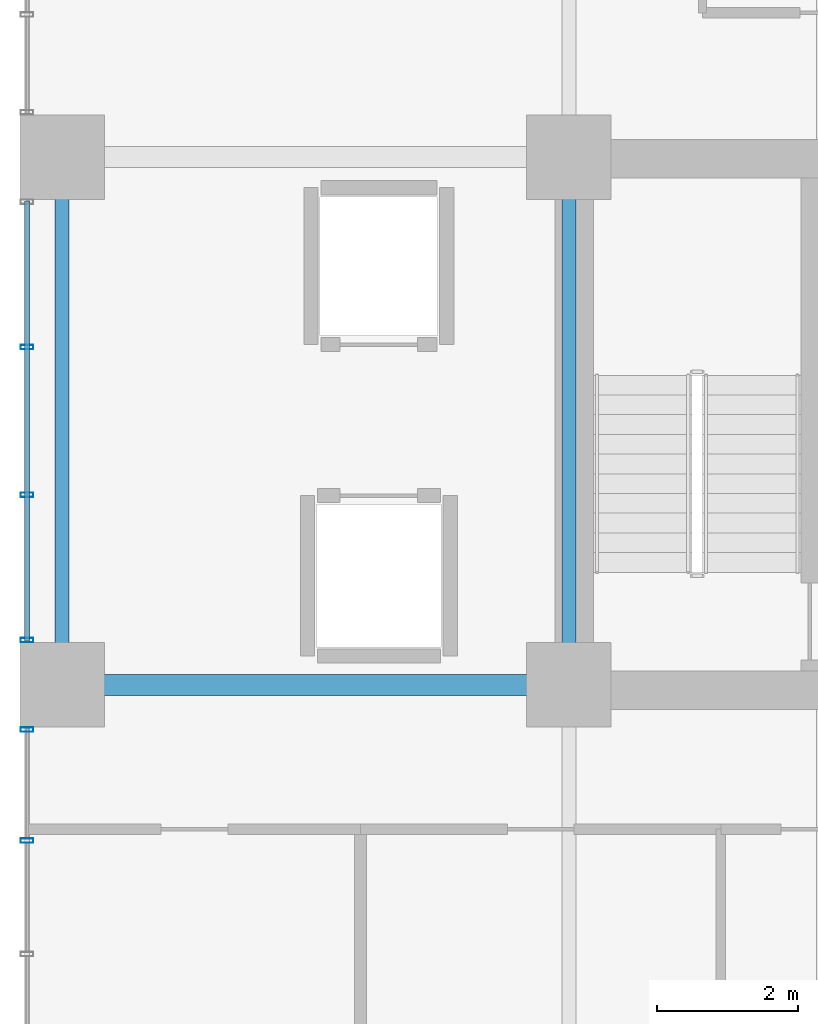
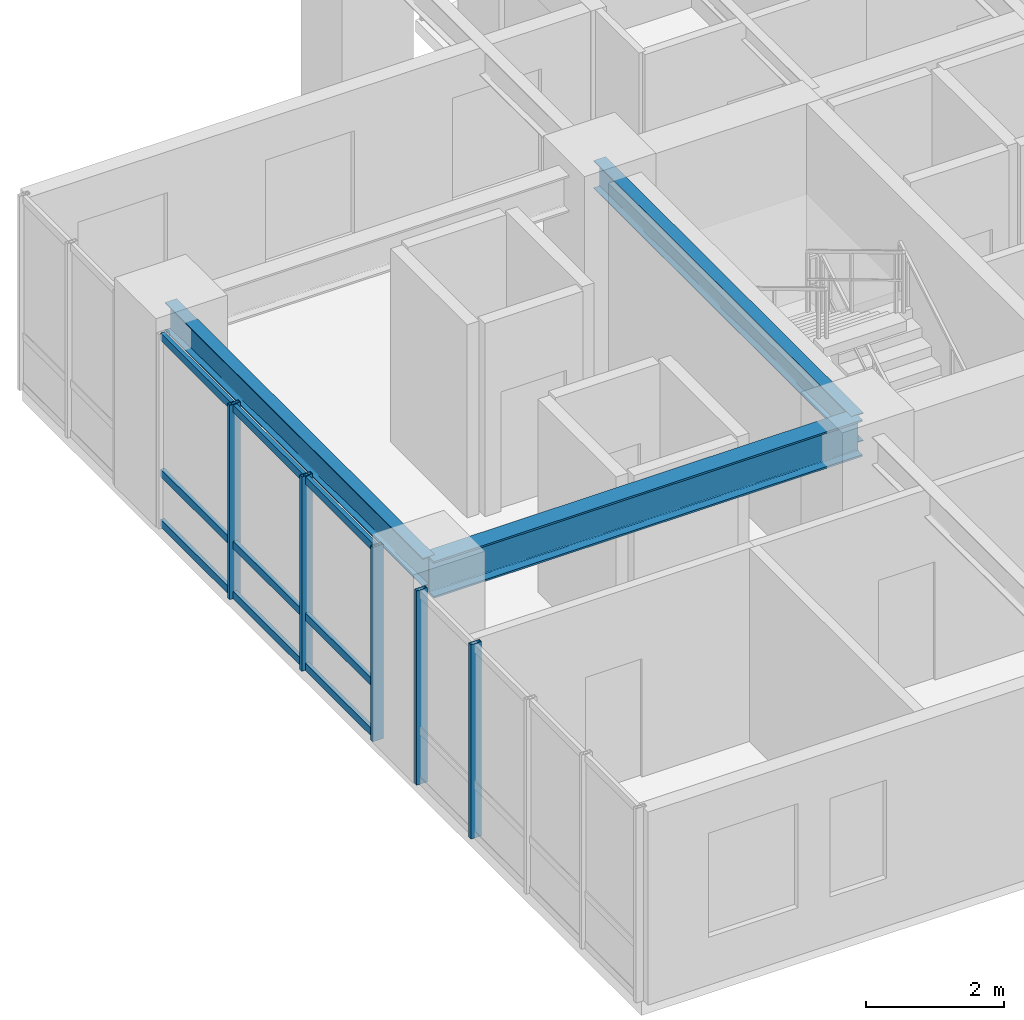
# One storey, part 4 of 18: 8 members, 3 beams, 2 elements without a shape of their own.
"""IFC4 building model written with IfcOpenShell, lengths in metres."""

from ifc_helpers import new_model, si_unit, direction, frame, origin, origin_2d, place, context, subcontext, project, spatial, hollow_rectangle, i_section, extrude, source, transform, mapped, material, layer, layer_set, material_profile, profile_set, type_object, element, aggregate, save


model = new_model("IFC4")

# Units and contexts
model_context = context("Model", 3, precision=1e-05, world=origin(), true_north=direction((0.0, 1.0)))
body_context = subcontext(model_context, "Body", "Model", "MODEL_VIEW")
ifc_project = project(units=[si_unit("LENGTHUNIT", "METRE"), si_unit("AREAUNIT", "SQUARE_METRE"), si_unit("VOLUMEUNIT", "CUBIC_METRE"), si_unit("PLANEANGLEUNIT", "RADIAN"), si_unit("MASSUNIT", "GRAM", prefix="KILO")], contexts=[model_context])

# Site, building, storey
site_placement = place(None, origin())
site = spatial("IfcSite", under=ifc_project, at=site_placement, CompositionType="ELEMENT")
building_placement = place(site_placement, origin())
building = spatial("IfcBuilding", under=site, at=building_placement, Name="Kaliganga Portal Commons", CompositionType="ELEMENT")
storey_placement = place(building_placement, frame((0.0, 0.0, 123.0)))
storey = spatial("IfcBuildingStorey", under=building, at=storey_placement, Name="L31", CompositionType="ELEMENT", Elevation=123.0)

# Beams
ifc_material_1 = material(Name="Structural steel S355J2", Category="steel")
ifc_material_profile_1 = material_profile(ifc_material_1, i_section(OverallWidth=0.300048828125, OverallDepth=0.64990234375, WebThickness=0.01611328125, FlangeThickness=0.031005859375, FilletRadius=0.027099609375, at=origin_2d()), Name="HE 650 B")
ifc_profile_set_1 = profile_set([ifc_material_profile_1], Name="Structural steel S355J2 wide-flange")
beam_type_1 = type_object("IfcBeamType", Name="BM-GIRD-650", PredefinedType="USERDEFINED", material=ifc_profile_set_1)
shared_shape_1 = source(origin(), body_context, "Body", "SweptSolid", [
    extrude(i_section(OverallWidth=0.300048828125, OverallDepth=0.64990234375, WebThickness=0.01611328125, FlangeThickness=0.031005859375, FilletRadius=0.027099609375, at=origin_2d()), origin(), (0.0, 0.0, 1.0), 7.199951171875),
])
beam_placement = place(storey_placement, frame((7.199951171875, 28.64990234375, 3.125), z_axis=(1.0, 0.0, 0.0), x_axis=(0.0, 1.0, 0.0)))
element("IfcBeam", 1, at=beam_placement, inside=storey, type_object=beam_type_1, Name="BM G L31 WAH_S 1", ObjectType="GIRDER", PredefinedType="USERDEFINED", context=body_context, shape_type="MappedRepresentation", body=[
    mapped(shared_shape_1, transform((0.0, 0.0, 0.0), x_axis=(1.0, 0.0, 0.0), y_axis=(0.0, 1.0, 0.0), z_axis=(0.0, 0.0, 1.0), scale=1.0)),
])
ifc_material_profile_2 = material_profile(ifc_material_1, i_section(OverallWidth=0.199951171875, OverallDepth=0.5, WebThickness=0.01025390625, FlangeThickness=0.01611328125, FilletRadius=0.02099609375, at=origin_2d()), Name="IPE 500")
ifc_profile_set_2 = profile_set([ifc_material_profile_2], Name="Structural steel S355J2 wide-flange")
beam_type_2 = type_object("IfcBeamType", Name="BM-FLR-500", PredefinedType="BEAM", material=ifc_profile_set_2)
shared_shape_2 = source(origin(), body_context, "Body", "SweptSolid", [
    extrude(i_section(OverallWidth=0.199951171875, OverallDepth=0.5, WebThickness=0.01025390625, FlangeThickness=0.01611328125, FilletRadius=0.02099609375, at=origin_2d()), origin(), (0.0, 0.0, 1.0), 7.5),
])
for number, where, z_axis, x_axis, name in (
    (2, (7.199951171875, 28.64990234375, 3.199951171875), (0.0, 1.0, 0.0), (-1.0, 0.0, 0.0), "BM G L31 AW72"),
    (3, (14.39990234375, 28.64990234375, 3.199951171875), (0.0, 1.0, 0.0), (-1.0, 0.0, 0.0), "BM G L31 AM144"),
):
    element("IfcBeam", number, at=place(storey_placement, frame(where, z_axis=z_axis, x_axis=x_axis)), inside=storey, type_object=beam_type_2, Name=name, PredefinedType="BEAM", context=body_context, shape_type="MappedRepresentation", body=[
        mapped(shared_shape_2, transform((0.0, 0.0, 0.0), x_axis=(1.0, 0.0, 0.0), y_axis=(0.0, 1.0, 0.0), z_axis=(0.0, 0.0, 1.0), scale=1.0)),
    ])

# Curtain wall, members
ifc_material_2 = material(Name="Anodized Aluminium and Laminated Low-E Glass", Category="aluminium")
ifc_layer = layer(ifc_material_2, 0.199951171875)
ifc_layer_set = layer_set([ifc_layer], Name="Anodized Aluminium and Laminated Low-E Glass")
curtain_wall_type = type_object("IfcCurtainWallType", Name="CW-SYS-02", PredefinedType="NOTDEFINED", material=ifc_layer_set)
curtain_wall_1_placement = place(storey_placement, origin())
curtain_wall_1 = element("IfcCurtainWall", 4, at=curtain_wall_1_placement, inside=storey, type_object=curtain_wall_type, Name="CW 02 L31 P1E09S2", PredefinedType="NOTDEFINED")
ifc_material_3 = material(Name="Dark Bronze Anodized Aluminium", Category="aluminium")
ifc_material_profile_3 = material_profile(ifc_material_3, hollow_rectangle(XDim=0.06494140625, YDim=0.179931640625, WallThickness=0.00390625, at=origin_2d()), Name="ALU MULL 65x180x4")
ifc_profile_set_3 = profile_set([ifc_material_profile_3], Name="Dark Bronze Anodized Aluminium")
member_type_1 = type_object("IfcMemberType", Name="CW-MUL-180", PredefinedType="MULLION", material=ifc_profile_set_3)
shared_shape_3 = source(origin(), body_context, "Body", "SweptSolid", [
    extrude(hollow_rectangle(XDim=0.06494140625, YDim=0.179931640625, WallThickness=0.00390625, at=origin_2d()), origin(), (0.0, 0.0, 1.0), 3.449951171875),
])
member_1_placement = place(storey_placement, frame((6.699951171875, 33.44970703125, 0.0), z_axis=(0.0, 0.0, 1.0), x_axis=(0.0, -1.0, 0.0)))
member_1 = element("IfcMember", 5, at=member_1_placement, type_object=member_type_1, Name="CW:02:L31:P1E09S2 Mullion 01", PredefinedType="MULLION", context=body_context, shape_type="MappedRepresentation", body=[
    mapped(shared_shape_3, transform((0.0, 0.0, 0.0), x_axis=(1.0, 0.0, 0.0), y_axis=(0.0, 1.0, 0.0), z_axis=(0.0, 0.0, 1.0), scale=1.0)),
])
member_2_placement = place(storey_placement, frame((6.699951171875, 31.350341796875, 0.0), z_axis=(0.0, 0.0, 1.0), x_axis=(0.0, -1.0, 0.0)))
member_2 = element("IfcMember", 6, at=member_2_placement, type_object=member_type_1, Name="CW:02:L31:P1E09S2 Mullion 02", PredefinedType="MULLION", context=body_context, shape_type="MappedRepresentation", body=[
    mapped(shared_shape_3, transform((0.0, 0.0, 0.0), x_axis=(1.0, 0.0, 0.0), y_axis=(0.0, 1.0, 0.0), z_axis=(0.0, 0.0, 1.0), scale=1.0)),
])
member_3_placement = place(storey_placement, frame((6.699951171875, 29.285888671875, 0.0), z_axis=(0.0, 0.0, 1.0), x_axis=(0.0, -1.0, 0.0)))
member_3 = element("IfcMember", 7, at=member_3_placement, type_object=member_type_1, Name="CW:02:L31:P1E09S2 Mullion 03", PredefinedType="MULLION", context=body_context, shape_type="MappedRepresentation", body=[
    mapped(shared_shape_3, transform((0.0, 0.0, 0.0), x_axis=(1.0, 0.0, 0.0), y_axis=(0.0, 1.0, 0.0), z_axis=(0.0, 0.0, 1.0), scale=1.0)),
])

curtain_wall_2_placement = place(storey_placement, origin())
curtain_wall_2 = element("IfcCurtainWall", 8, at=curtain_wall_2_placement, inside=storey, type_object=curtain_wall_type, Name="CW 02 L31 P1E09S3", PredefinedType="NOTDEFINED")
member_4_placement = place(storey_placement, frame((6.699951171875, 28.013916015625, 0.0), z_axis=(0.0, 0.0, 1.0), x_axis=(0.0, -1.0, 0.0)))
member_4 = element("IfcMember", 9, at=member_4_placement, type_object=member_type_1, Name="CW:02:L31:P1E09S3 Mullion 00", PredefinedType="MULLION", context=body_context, shape_type="MappedRepresentation", body=[
    mapped(shared_shape_3, transform((0.0, 0.0, 0.0), x_axis=(1.0, 0.0, 0.0), y_axis=(0.0, 1.0, 0.0), z_axis=(0.0, 0.0, 1.0), scale=1.0)),
])
member_5_placement = place(storey_placement, frame((6.699951171875, 26.436767578125, 0.0), z_axis=(0.0, 0.0, 1.0), x_axis=(0.0, -1.0, 0.0)))
member_5 = element("IfcMember", 10, at=member_5_placement, type_object=member_type_1, Name="CW:02:L31:P1E09S3 Mullion 01", PredefinedType="MULLION", context=body_context, shape_type="MappedRepresentation", body=[
    mapped(shared_shape_3, transform((0.0, 0.0, 0.0), x_axis=(1.0, 0.0, 0.0), y_axis=(0.0, 1.0, 0.0), z_axis=(0.0, 0.0, 1.0), scale=1.0)),
])
aggregate(curtain_wall_2, [member_4, member_5])

# Member
ifc_material_profile_4 = material_profile(ifc_material_3, hollow_rectangle(XDim=0.06494140625, YDim=0.135009765625, WallThickness=0.00341796875, at=origin_2d()), Name="ALU TRAN 65x135x3.5")
ifc_profile_set_4 = profile_set([ifc_material_profile_4], Name="Dark Bronze Anodized Aluminium")
member_type_2 = type_object("IfcMemberType", Name="CW-TRN-135", PredefinedType="USERDEFINED", material=ifc_profile_set_4)
shared_shape_4 = source(origin(), body_context, "Body", "SweptSolid", [
    extrude(hollow_rectangle(XDim=0.06494140625, YDim=0.135009765625, WallThickness=0.00341796875, at=origin_2d()), origin(), (0.0, 0.0, 1.0), 6.258056640625),
])
member_6_placement = place(storey_placement, frame((6.699951171875, 35.529052734375, 0.06005859375), z_axis=(0.0, -1.0, 0.0), x_axis=(1.0, 0.0, 0.0)))
member_6 = element("IfcMember", 11, at=member_6_placement, type_object=member_type_2, Name="CW:02:L31:P1E09S2 Transom 1", ObjectType="TRANSOM", PredefinedType="USERDEFINED", context=body_context, shape_type="MappedRepresentation", body=[
    mapped(shared_shape_4, transform((0.0, 0.0, 0.0), x_axis=(1.0, 0.0, 0.0), y_axis=(0.0, 1.0, 0.0), z_axis=(0.0, 0.0, 1.0), scale=1.0)),
])

member_7_placement = place(storey_placement, frame((6.699951171875, 35.529052734375, 0.949951171875), z_axis=(0.0, -1.0, 0.0), x_axis=(1.0, 0.0, 0.0)))
member_7 = element("IfcMember", 12, at=member_7_placement, type_object=member_type_2, Name="CW:02:L31:P1E09S2 Transom 2", ObjectType="TRANSOM", PredefinedType="USERDEFINED", context=body_context, shape_type="MappedRepresentation", body=[
    mapped(shared_shape_4, transform((0.0, 0.0, 0.0), x_axis=(1.0, 0.0, 0.0), y_axis=(0.0, 1.0, 0.0), z_axis=(0.0, 0.0, 1.0), scale=1.0)),
])

member_8_placement = place(storey_placement, frame((6.699951171875, 35.529052734375, 3.3701171875), z_axis=(0.0, -1.0, 0.0), x_axis=(1.0, 0.0, 0.0)))
member_8 = element("IfcMember", 13, at=member_8_placement, type_object=member_type_2, Name="CW:02:L31:P1E09S2 Transom 3", ObjectType="TRANSOM", PredefinedType="USERDEFINED", context=body_context, shape_type="MappedRepresentation", body=[
    mapped(shared_shape_4, transform((0.0, 0.0, 0.0), x_axis=(1.0, 0.0, 0.0), y_axis=(0.0, 1.0, 0.0), z_axis=(0.0, 0.0, 1.0), scale=1.0)),
])

aggregate(curtain_wall_1, [member_1, member_2, member_3, member_6, member_7, member_8])

save(model, "model.ifc")
